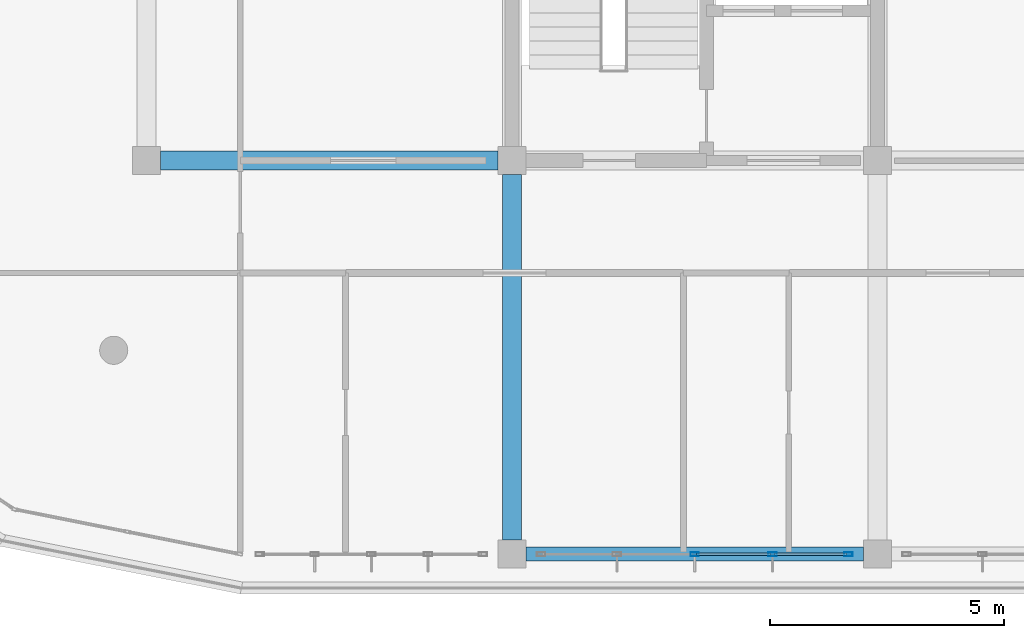
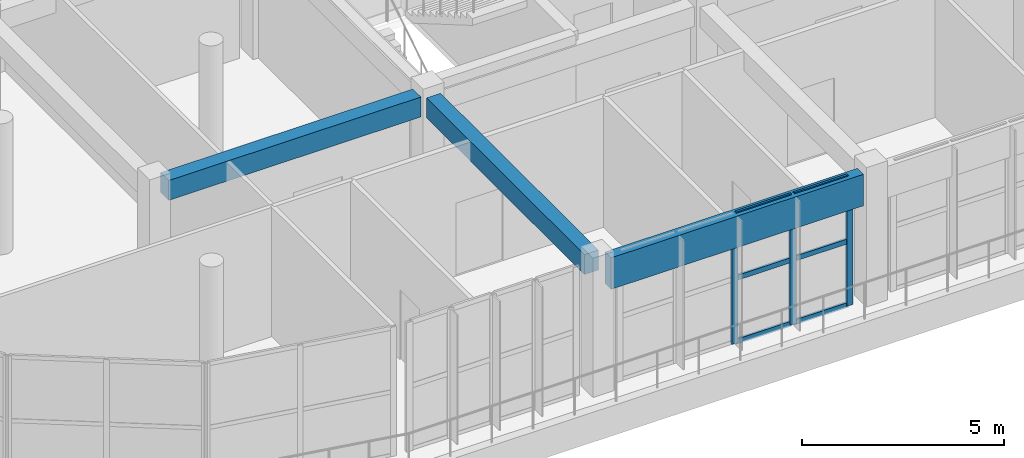
# One storey, part 5 of 50: 9 members, 3 beams, 1 element without a shape of its own.
"""IFC4 building model written with IfcOpenShell, lengths in metres."""

from ifc_helpers import new_model, si_unit, direction, frame, origin, origin_2d, place, context, subcontext, project, spatial, rectangle, hollow_rectangle, extrude, material, layer, layer_set, material_profile, profile_set, type_object, element, aggregate, save


model = new_model("IFC4")

# Units and contexts
model_context = context("Model", 3, precision=1e-05, world=origin(), true_north=direction((0.0, 1.0)))
body_context = subcontext(model_context, "Body", "Model", "MODEL_VIEW")
ifc_project = project(units=[si_unit("LENGTHUNIT", "METRE"), si_unit("AREAUNIT", "SQUARE_METRE"), si_unit("VOLUMEUNIT", "CUBIC_METRE"), si_unit("PLANEANGLEUNIT", "RADIAN"), si_unit("MASSUNIT", "GRAM", prefix="KILO")], contexts=[model_context])

# Site, building, storey
site_placement = place(None, origin())
site = spatial("IfcSite", under=ifc_project, at=site_placement, CompositionType="ELEMENT")
building_placement = place(site_placement, origin())
building = spatial("IfcBuilding", under=site, at=building_placement, Name="Zizhar Promenade General Hospital", CompositionType="ELEMENT")
storey_placement = place(building_placement, frame((0.0, 0.0, 30.60009765625)))
storey = spatial("IfcBuildingStorey", under=building, at=storey_placement, Name="L07", CompositionType="ELEMENT", Elevation=30.60009765625)

# Beams
ifc_material_1 = material(Name="Precast concrete C40/50", Category="concrete")
ifc_material_profile_1 = material_profile(ifc_material_1, rectangle(XDim=0.300048828125, YDim=0.949951171875, at=origin_2d()))
ifc_profile_set_1 = profile_set([ifc_material_profile_1], Name="Precast concrete C40/50")
beam_type_1 = type_object("IfcBeamType", Name="BM-PC-BAND950", PredefinedType="SPANDREL", material=ifc_profile_set_1)
beam_1_placement = place(storey_placement, frame((47.10009765625, 0.0, 3.434814453125), z_axis=(1.0, 0.0, 0.0), x_axis=(0.0, 1.0, 0.0)))
element("IfcBeam", 1, at=beam_1_placement, inside=storey, type_object=beam_type_1, Name="Grid Beam X L07 (6-0)", PredefinedType="SPANDREL", context=body_context, shape_type="SweptSolid", body=[
    extrude(rectangle(XDim=0.300048828125, YDim=0.949951171875, at=origin_2d()), origin(), (0.0, 0.0, 1.0), 7.199951171875),
])
ifc_material_2 = material(Name="Concrete C35/45", Category="concrete")
ifc_material_profile_2 = material_profile(ifc_material_2, rectangle(XDim=0.39990234375, YDim=0.60009765625, at=origin_2d()))
ifc_profile_set_2 = profile_set([ifc_material_profile_2], Name="Concrete C35/45")
beam_type_2 = type_object("IfcBeamType", Name="BM-RC-400x600", PredefinedType="JOIST", material=ifc_profile_set_2)
beam_2_placement = place(storey_placement, frame((39.300048828125, 8.39990234375, 3.60986328125), z_axis=(1.0, 0.0, 0.0), x_axis=(0.0, 1.0, 0.0)))
element("IfcBeam", 2, at=beam_2_placement, inside=storey, type_object=beam_type_2, Name="Grid Beam X L07 (5-1)", PredefinedType="JOIST", context=body_context, shape_type="SweptSolid", body=[
    extrude(rectangle(XDim=0.39990234375, YDim=0.60009765625, at=origin_2d()), origin(), (0.0, 0.0, 1.0), 7.199951171875),
])
beam_3_placement = place(storey_placement, frame((46.800048828125, 0.300048828125, 3.60986328125), z_axis=(0.0, 1.0, 0.0), x_axis=(-1.0, 0.0, 0.0)))
element("IfcBeam", 3, at=beam_3_placement, inside=storey, type_object=beam_type_2, Name="Grid Beam Y L07 (6-0)", PredefinedType="JOIST", context=body_context, shape_type="SweptSolid", body=[
    extrude(rectangle(XDim=0.39990234375, YDim=0.60009765625, at=origin_2d()), origin(), (0.0, 0.0, 1.0), 7.800048828125),
])

# Curtain wall, members
ifc_material_3 = material(Name="Anodised aluminium 6063-T6 and low-E glass", Category="aluminium")
ifc_layer = layer(ifc_material_3, 0.159912109375)
ifc_layer_set = layer_set([ifc_layer], Name="Anodised aluminium 6063-T6 and low-E glass")
curtain_wall_type = type_object("IfcCurtainWallType", Name="CW-WARD-RIB", PredefinedType="NOTDEFINED", material=ifc_layer_set)
curtain_wall_placement = place(storey_placement, origin())
curtain_wall = element("IfcCurtainWall", 4, at=curtain_wall_placement, inside=storey, type_object=curtain_wall_type, Name="Ward Ribbon Curtain Wall L07-17-7", PredefinedType="NOTDEFINED")
ifc_material_4 = material(Name="Anodised aluminium 6063-T6", Category="aluminium")
ifc_material_profile_3 = material_profile(ifc_material_4, hollow_rectangle(XDim=0.080078125, YDim=0.179931640625, WallThickness=0.0048828125, at=origin_2d()))
ifc_profile_set_3 = profile_set([ifc_material_profile_3], Name="Anodised aluminium 6063-T6")
member_type_1 = type_object("IfcMemberType", Name="CWM-ALU-180x80", PredefinedType="MULLION", material=ifc_profile_set_3)
member_1_placement = place(storey_placement, frame((53.97998046875, 0.0, 0.0), z_axis=(0.0, 0.0, 1.0), x_axis=(0.0, -1.0, 0.0)))
member_1 = element("IfcMember", 5, at=member_1_placement, type_object=member_type_1, Name="CW-13 mullion 1", PredefinedType="MULLION", context=body_context, shape_type="SweptSolid", body=[
    extrude(hollow_rectangle(XDim=0.080078125, YDim=0.179931640625, WallThickness=0.0048828125, at=origin_2d()), origin(), (0.0, 0.0, 1.0), 3.89990234375),
])
member_2_placement = place(storey_placement, frame((52.360107421875, 0.0, 0.0), z_axis=(0.0, 0.0, 1.0), x_axis=(0.0, -1.0, 0.0)))
member_2 = element("IfcMember", 6, at=member_2_placement, type_object=member_type_1, Name="CW-13 mullion 2", PredefinedType="MULLION", context=body_context, shape_type="SweptSolid", body=[
    extrude(hollow_rectangle(XDim=0.080078125, YDim=0.179931640625, WallThickness=0.0048828125, at=origin_2d()), origin(), (0.0, 0.0, 1.0), 3.89990234375),
])
member_3_placement = place(storey_placement, frame((50.699951171875, 0.0, 0.0), z_axis=(0.0, 0.0, 1.0), x_axis=(0.0, -1.0, 0.0)))
member_3 = element("IfcMember", 7, at=member_3_placement, type_object=member_type_1, Name="CW-13 mullion 3", PredefinedType="MULLION", context=body_context, shape_type="SweptSolid", body=[
    extrude(hollow_rectangle(XDim=0.080078125, YDim=0.179931640625, WallThickness=0.0048828125, at=origin_2d()), origin(), (0.0, 0.0, 1.0), 3.89990234375),
])
ifc_material_5 = material(Name="Anodised aluminium 6063-T6", Category="aluminium")
ifc_material_profile_4 = material_profile(ifc_material_5, hollow_rectangle(XDim=0.06005859375, YDim=0.14990234375, WallThickness=0.00390625, at=origin_2d()))
ifc_profile_set_4 = profile_set([ifc_material_profile_4], Name="Anodised aluminium 6063-T6")
member_type_2 = type_object("IfcMemberType", Name="CWT-ALU-150x60", PredefinedType="USERDEFINED", material=ifc_profile_set_4)
member_4_placement = place(storey_placement, frame((53.93994140625, 0.0, 0.02978515625), z_axis=(-1.0, 0.0, 0.0), x_axis=(0.0, -1.0, 0.0)))
member_4 = element("IfcMember", 8, at=member_4_placement, type_object=member_type_2, Name="CW-13 transom 1.1", ObjectType="TRANSOM", PredefinedType="USERDEFINED", context=body_context, shape_type="SweptSolid", body=[
    extrude(hollow_rectangle(XDim=0.06005859375, YDim=0.14990234375, WallThickness=0.00390625, at=origin_2d()), origin(), (0.0, 0.0, 1.0), 1.5400390625),
])
member_5_placement = place(storey_placement, frame((53.93994140625, 0.0, 1.949951171875), z_axis=(-1.0, 0.0, 0.0), x_axis=(0.0, -1.0, 0.0)))
member_5 = element("IfcMember", 9, at=member_5_placement, type_object=member_type_2, Name="CW-13 transom 1.2", ObjectType="TRANSOM", PredefinedType="USERDEFINED", context=body_context, shape_type="SweptSolid", body=[
    extrude(hollow_rectangle(XDim=0.06005859375, YDim=0.14990234375, WallThickness=0.00390625, at=origin_2d()), origin(), (0.0, 0.0, 1.0), 1.5400390625),
])
member_6_placement = place(storey_placement, frame((53.93994140625, 0.0, 3.869873046875), z_axis=(-1.0, 0.0, 0.0), x_axis=(0.0, -1.0, 0.0)))
member_6 = element("IfcMember", 10, at=member_6_placement, type_object=member_type_2, Name="CW-13 transom 1.3", ObjectType="TRANSOM", PredefinedType="USERDEFINED", context=body_context, shape_type="SweptSolid", body=[
    extrude(hollow_rectangle(XDim=0.06005859375, YDim=0.14990234375, WallThickness=0.00390625, at=origin_2d()), origin(), (0.0, 0.0, 1.0), 1.5400390625),
])
member_7_placement = place(storey_placement, frame((52.320068359375, 0.0, 0.02978515625), z_axis=(-1.0, 0.0, 0.0), x_axis=(0.0, -1.0, 0.0)))
member_7 = element("IfcMember", 11, at=member_7_placement, type_object=member_type_2, Name="CW-13 transom 2.1", ObjectType="TRANSOM", PredefinedType="USERDEFINED", context=body_context, shape_type="SweptSolid", body=[
    extrude(hollow_rectangle(XDim=0.06005859375, YDim=0.14990234375, WallThickness=0.00390625, at=origin_2d()), origin(), (0.0, 0.0, 1.0), 1.580078125),
])
member_8_placement = place(storey_placement, frame((52.320068359375, 0.0, 1.949951171875), z_axis=(-1.0, 0.0, 0.0), x_axis=(0.0, -1.0, 0.0)))
member_8 = element("IfcMember", 12, at=member_8_placement, type_object=member_type_2, Name="CW-13 transom 2.2", ObjectType="TRANSOM", PredefinedType="USERDEFINED", context=body_context, shape_type="SweptSolid", body=[
    extrude(hollow_rectangle(XDim=0.06005859375, YDim=0.14990234375, WallThickness=0.00390625, at=origin_2d()), origin(), (0.0, 0.0, 1.0), 1.580078125),
])
member_9_placement = place(storey_placement, frame((52.320068359375, 0.0, 3.869873046875), z_axis=(-1.0, 0.0, 0.0), x_axis=(0.0, -1.0, 0.0)))
member_9 = element("IfcMember", 13, at=member_9_placement, type_object=member_type_2, Name="CW-13 transom 2.3", ObjectType="TRANSOM", PredefinedType="USERDEFINED", context=body_context, shape_type="SweptSolid", body=[
    extrude(hollow_rectangle(XDim=0.06005859375, YDim=0.14990234375, WallThickness=0.00390625, at=origin_2d()), origin(), (0.0, 0.0, 1.0), 1.580078125),
])
aggregate(curtain_wall, [member_1, member_2, member_3, member_4, member_5, member_6, member_7, member_8, member_9])

save(model, "model.ifc")
